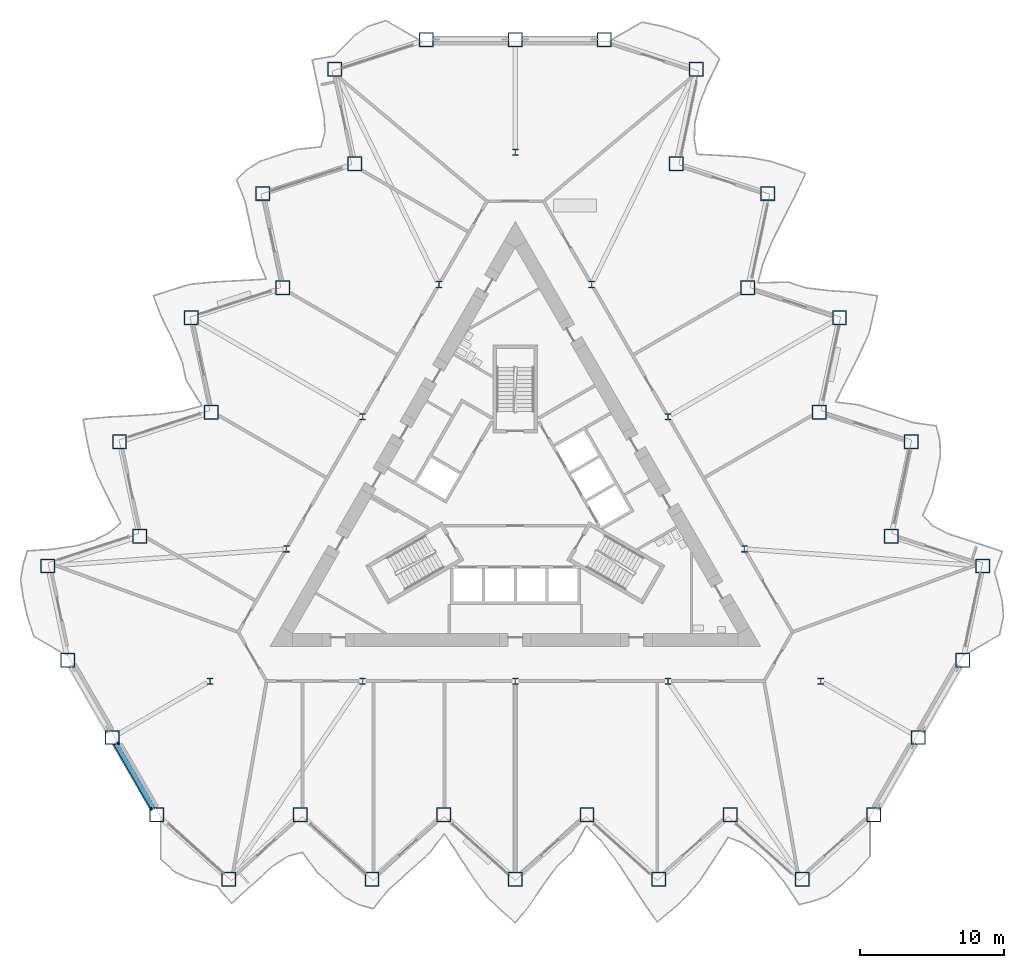
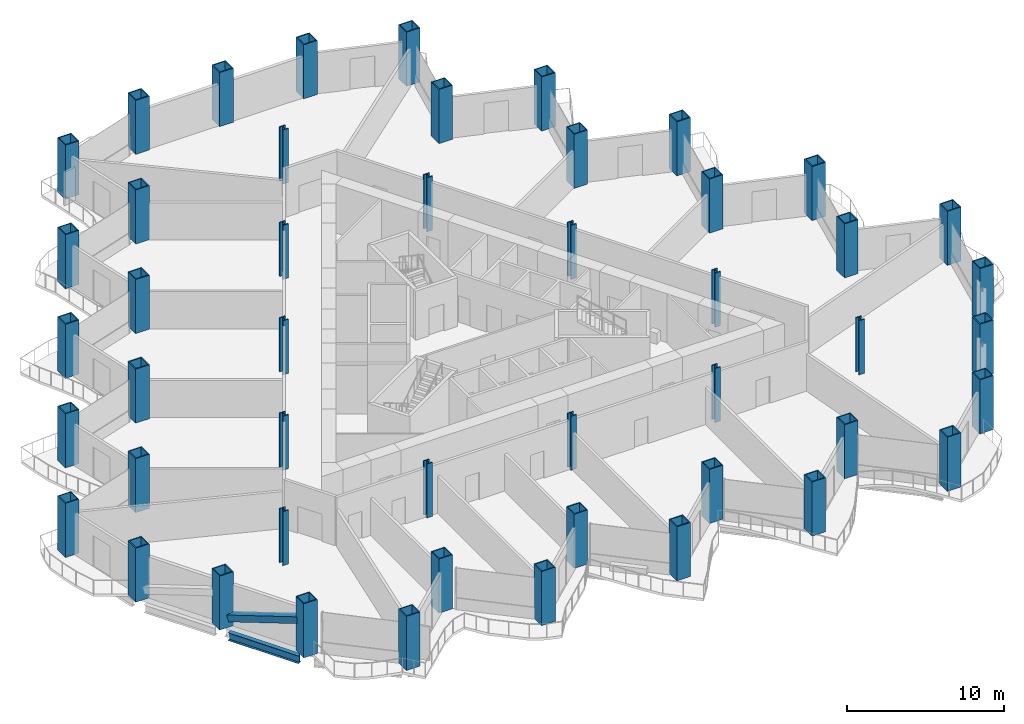
# One storey, part 1 of 21: 48 columns, 1 beam, 1 member.
"""IFC4 building model written with IfcOpenShell, lengths in metres."""

from ifc_helpers import new_model, si_unit, direction, frame, origin, origin_2d, place, context, subcontext, project, spatial, hollow_rectangle, i_section, extrude, material, material_profile, profile_set, type_object, element, save


model = new_model("IFC4")

# Units and contexts
model_context = context("Model", 3, precision=1e-05, world=origin(), true_north=direction((0.0, 1.0)))
body_context = subcontext(model_context, "Body", "Model", "MODEL_VIEW")
ifc_project = project(units=[si_unit("LENGTHUNIT", "METRE"), si_unit("AREAUNIT", "SQUARE_METRE"), si_unit("VOLUMEUNIT", "CUBIC_METRE"), si_unit("PLANEANGLEUNIT", "RADIAN"), si_unit("MASSUNIT", "GRAM", prefix="KILO")], contexts=[model_context])

# Site, building, storey
site_placement = place(None, origin())
site = spatial("IfcSite", under=ifc_project, at=site_placement, CompositionType="ELEMENT")
building_placement = place(site_placement, origin())
building = spatial("IfcBuilding", under=site, at=building_placement, Name="Cormorant Prow Tower", CompositionType="ELEMENT")
storey_placement = place(building_placement, frame((0.0, 0.0, 67.800048828125)))
storey = spatial("IfcBuildingStorey", under=building, at=storey_placement, Name="L14", CompositionType="ELEMENT", Elevation=67.800048828125)

# Columns
ifc_material_1 = material(Name="Structural steel ASTM A572 Gr 50", Category="steel")
ifc_material_profile_1 = material_profile(ifc_material_1, hollow_rectangle(XDim=1.0, YDim=1.0, WallThickness=0.070068359375, at=origin_2d()), Name="Box 1000x1000x70")
ifc_profile_set_1 = profile_set([ifc_material_profile_1], Name="Structural steel ASTM A572 Gr 50")
column_type_1 = type_object("IfcColumnType", Name="Perimeter box column 1000x1000x70", PredefinedType="COLUMN", material=ifc_profile_set_1)
for number, where, z_axis, x_axis, name in (
    (1, (-24.830322265625, -21.4599609375, 0.0), (0.0, 0.0, 1.0), (1.0, 0.0, 0.0), "Perimeter column C2 at S00 L14"),
    (2, (-19.8642578125, -25.931396484375, 0.0), (0.0, 0.0, 1.0), (1.0, 0.0, 0.0), "Perimeter column C2 at S01 L14"),
    (3, (-14.898193359375, -21.4599609375, 0.0), (0.0, 0.0, 1.0), (1.0, 0.0, 0.0), "Perimeter column C2 at S02 L14"),
    (4, (-9.93212890625, -25.931396484375, 0.0), (0.0, 0.0, 1.0), (1.0, 0.0, 0.0), "Perimeter column C2 at S03 L14"),
    (5, (-4.966064453125, -21.4599609375, 0.0), (0.0, 0.0, 1.0), (1.0, 0.0, 0.0), "Perimeter column C2 at S04 L14"),
    (6, (0.0, -25.931396484375, 0.0), (0.0, 0.0, 1.0), (1.0, 0.0, 0.0), "Perimeter column C2 at S05 L14"),
    (7, (4.966064453125, -21.4599609375, 0.0), (0.0, 0.0, 1.0), (1.0, 0.0, 0.0), "Perimeter column C2 at S06 L14"),
    (8, (9.93212890625, -25.931396484375, 0.0), (0.0, 0.0, 1.0), (1.0, 0.0, 0.0), "Perimeter column C2 at S07 L14"),
    (9, (14.898193359375, -21.4599609375, 0.0), (0.0, 0.0, 1.0), (1.0, 0.0, 0.0), "Perimeter column C2 at S08 L14"),
    (10, (19.8642578125, -25.931396484375, 0.0), (0.0, 0.0, 1.0), (1.0, 0.0, 0.0), "Perimeter column C2 at S09 L14"),
    (11, (24.830322265625, -21.4599609375, 0.0), (0.0, 0.0, 1.0), (1.0, 0.0, 0.0), "Perimeter column C2 at ESE00 L14"),
    (12, (27.915283203125, -16.116943359375, 0.0), (0.0, 0.0, 1.0), (1.0, 0.0, 0.0), "Perimeter column C2 at ESE01 L14"),
    (13, (31.0, -10.773681640625, 0.0), (0.0, 0.0, 1.0), (1.0, 0.0, 0.0), "Perimeter column C2 at ENE00 L14"),
    (14, (32.389404296875, -4.2373046875, 0.0), (0.0, 0.0, 1.0), (1.0, 0.0, 0.0), "Perimeter column C2 at ENE01 L14"),
    (15, (26.033935546875, -2.17236328125, 0.0), (0.0, 0.0, 1.0), (1.0, 0.0, 0.0), "Perimeter column C2 at ENE02 L14"),
    (16, (27.42333984375, 4.3642578125, 0.0), (0.0, 0.0, 1.0), (1.0, 0.0, 0.0), "Perimeter column C2 at ENE03 L14"),
    (17, (21.06787109375, 6.42919921875, 0.0), (0.0, 0.0, 1.0), (1.0, 0.0, 0.0), "Perimeter column C2 at ENE04 L14"),
    (18, (22.457275390625, 12.965576171875, 0.0), (0.0, 0.0, 1.0), (1.0, 0.0, 0.0), "Perimeter column C2 at ENE05 L14"),
    (19, (16.101806640625, 15.03076171875, 0.0), (0.0, 0.0, 1.0), (1.0, 0.0, 0.0), "Perimeter column C2 at ENE06 L14"),
    (20, (17.4912109375, 21.567138671875, 0.0), (0.0, 0.0, 1.0), (1.0, 0.0, 0.0), "Perimeter column C2 at ENE07 L14"),
    (21, (11.1357421875, 23.632080078125, 0.0), (0.0, 0.0, 1.0), (1.0, 0.0, 0.0), "Perimeter column C2 at ENE08 L14"),
    (22, (12.525146484375, 30.168701171875, 0.0), (0.0, 0.0, 1.0), (1.0, 0.0, 0.0), "Perimeter column C2 at ENE09 L14"),
    (23, (6.169677734375, 32.233642578125, 0.0), (0.0, 0.0, 1.0), (1.0, 0.0, 0.0), "Perimeter column C2 at N00 L14"),
    (24, (0.0, 32.233642578125, 0.0), (0.0, 0.0, 1.0), (1.0, 0.0, 0.0), "Perimeter column C2 at N01 L14"),
    (25, (-6.169677734375, 32.233642578125, 0.0), (0.0, 0.0, 1.0), (1.0, 0.0, 0.0), "Perimeter column C2 at WNW00 L14"),
    (26, (-12.525146484375, 30.168701171875, 0.0), (0.0, 0.0, 1.0), (1.0, 0.0, 0.0), "Perimeter column C2 at WNW01 L14"),
    (27, (-11.1357421875, 23.632080078125, 0.0), (0.0, 0.0, 1.0), (1.0, 0.0, 0.0), "Perimeter column C2 at WNW02 L14"),
    (28, (-17.4912109375, 21.567138671875, 0.0), (0.0, 0.0, 1.0), (1.0, 0.0, 0.0), "Perimeter column C2 at WNW03 L14"),
    (29, (-16.101806640625, 15.03076171875, 0.0), (0.0, 0.0, 1.0), (1.0, 0.0, 0.0), "Perimeter column C2 at WNW04 L14"),
    (30, (-22.457275390625, 12.965576171875, 0.0), (0.0, 0.0, 1.0), (1.0, 0.0, 0.0), "Perimeter column C2 at WNW05 L14"),
    (31, (-21.06787109375, 6.42919921875, 0.0), (0.0, 0.0, 1.0), (1.0, 0.0, 0.0), "Perimeter column C2 at WNW06 L14"),
    (32, (-27.42333984375, 4.3642578125, 0.0), (0.0, 0.0, 1.0), (1.0, 0.0, 0.0), "Perimeter column C2 at WNW07 L14"),
    (33, (-26.033935546875, -2.17236328125, 0.0), (0.0, 0.0, 1.0), (1.0, 0.0, 0.0), "Perimeter column C2 at WNW08 L14"),
    (34, (-32.389404296875, -4.2373046875, 0.0), (0.0, 0.0, 1.0), (1.0, 0.0, 0.0), "Perimeter column C2 at WNW09 L14"),
    (35, (-31.0, -10.773681640625, 0.0), (0.0, 0.0, 1.0), (1.0, 0.0, 0.0), "Perimeter column C2 at WSW00 L14"),
    (36, (-27.915283203125, -16.116943359375, 0.0), (0.0, 0.0, 1.0), (1.0, 0.0, 0.0), "Perimeter column C2 at WSW01 L14"),
):
    element("IfcColumn", number, at=place(storey_placement, frame(where, z_axis=z_axis, x_axis=x_axis)), inside=storey, type_object=column_type_1, Name=name, PredefinedType="COLUMN", context=body_context, shape_type="SweptSolid", body=[
        extrude(hollow_rectangle(XDim=1.0, YDim=1.0, WallThickness=0.070068359375, at=origin_2d()), origin(), (0.0, 0.0, 1.0), 4.199951171875),
    ])
ifc_material_2 = material(Name="Structural steel ASTM A992 Gr 50", Category="steel")
ifc_material_profile_2 = material_profile(ifc_material_2, i_section(OverallWidth=0.42138671875, OverallDepth=0.464599609375, WebThickness=0.044921875, FlangeThickness=0.072265625, at=origin_2d()), Name="W14x398")
ifc_profile_set_2 = profile_set([ifc_material_profile_2], Name="Structural steel ASTM A992 Gr 50")
column_type_2 = type_object("IfcColumnType", Name="Ring column W14x398", PredefinedType="COLUMN", material=ifc_profile_set_2)
for number, where, z_axis, x_axis, name in (
    (37, (0.0, 24.429931640625, 0.0), (0.0, 0.0, 1.0), (1.0, 0.0, 0.0), "Ring column 1 L14"),
    (38, (-5.289306640625, 15.268798828125, 0.0), (0.0, 0.0, 1.0), (1.0, 0.0, 0.0), "Ring column 2 L14"),
    (39, (-10.578369140625, 6.107421875, 0.0), (0.0, 0.0, 1.0), (1.0, 0.0, 0.0), "Ring column 3 L14"),
    (40, (-15.86767578125, -3.0537109375, 0.0), (0.0, 0.0, 1.0), (1.0, 0.0, 0.0), "Ring column 4 L14"),
    (41, (-21.156982421875, -12.21484375, 0.0), (0.0, 0.0, 1.0), (1.0, 0.0, 0.0), "Ring column 5 L14"),
    (42, (-10.578369140625, -12.21484375, 0.0), (0.0, 0.0, 1.0), (1.0, 0.0, 0.0), "Ring column 6 L14"),
    (43, (0.0, -12.21484375, 0.0), (0.0, 0.0, 1.0), (1.0, 0.0, 0.0), "Ring column 7 L14"),
    (44, (10.578369140625, -12.21484375, 0.0), (0.0, 0.0, 1.0), (1.0, 0.0, 0.0), "Ring column 8 L14"),
    (45, (21.156982421875, -12.21484375, 0.0), (0.0, 0.0, 1.0), (1.0, 0.0, 0.0), "Ring column 9 L14"),
    (46, (15.86767578125, -3.0537109375, 0.0), (0.0, 0.0, 1.0), (1.0, 0.0, 0.0), "Ring column 10 L14"),
    (47, (10.578369140625, 6.107421875, 0.0), (0.0, 0.0, 1.0), (1.0, 0.0, 0.0), "Ring column 11 L14"),
    (48, (5.289306640625, 15.268798828125, 0.0), (0.0, 0.0, 1.0), (1.0, 0.0, 0.0), "Ring column 12 L14"),
):
    element("IfcColumn", number, at=place(storey_placement, frame(where, z_axis=z_axis, x_axis=x_axis)), inside=storey, type_object=column_type_2, Name=name, PredefinedType="COLUMN", context=body_context, shape_type="SweptSolid", body=[
        extrude(i_section(OverallWidth=0.42138671875, OverallDepth=0.464599609375, WebThickness=0.044921875, FlangeThickness=0.072265625, at=origin_2d()), origin(), (0.0, 0.0, 1.0), 4.199951171875),
    ])

# Member
ifc_material_3 = material(Name="Structural steel ASTM A500 Gr C", Category="steel")
ifc_material_profile_3 = material_profile(ifc_material_3, hollow_rectangle(XDim=0.508056640625, YDim=0.508056640625, WallThickness=0.014892578125, at=origin_2d()), Name="HSS20x20x5/8")
ifc_profile_set_3 = profile_set([ifc_material_profile_3], Name="Structural steel ASTM A500 Gr C")
member_type = type_object("IfcMemberType", Name="Chamfer brace HSS20x20x5/8", PredefinedType="BRACE", material=ifc_profile_set_3)
member_placement = place(storey_placement, frame((-27.65576171875, -16.566162109375, 0.76708984375), z_axis=(0.47589308504, -0.824244468952, 0.306833549359), x_axis=(0.866018434186, 0.500012071504, 0.0)))
element("IfcMember", 49, at=member_placement, inside=storey, type_object=member_type, Name="Chamfer brace BR1 at WSW01 L14", PredefinedType="BRACE", context=body_context, shape_type="SweptSolid", body=[
    extrude(hollow_rectangle(XDim=0.508056640625, YDim=0.508056640625, WallThickness=0.014892578125, at=origin_2d()), origin(), (0.0, 0.0, 1.0), 5.392333984375),
])

# Beam
ifc_material_4 = material(Name="Structural steel ASTM A992 Gr 50", Category="steel")
ifc_material_profile_4 = material_profile(ifc_material_4, i_section(OverallWidth=0.32373046875, OverallDepth=0.611083984375, WebThickness=0.0126953125, FlangeThickness=0.01904296875, at=origin_2d()), Name="W24x104")
ifc_profile_set_4 = profile_set([ifc_material_profile_4], Name="Structural steel ASTM A992 Gr 50")
beam_type = type_object("IfcBeamType", Name="Spandrel beam W24x104", PredefinedType="SPANDREL", material=ifc_profile_set_4)
beam_placement = place(storey_placement, frame((-27.665283203125, -16.5498046875, -0.70556640625), z_axis=(0.500019507279, -0.866014140959, 0.0), x_axis=(0.866014140959, 0.500019507279, 0.0)))
element("IfcBeam", 50, at=beam_placement, inside=storey, type_object=beam_type, Name="Spandrel beam SB1 WSW01-S00 L14", PredefinedType="SPANDREL", context=body_context, shape_type="SweptSolid", body=[
    extrude(i_section(OverallWidth=0.32373046875, OverallDepth=0.611083984375, WebThickness=0.0126953125, FlangeThickness=0.01904296875, at=origin_2d()), origin(), (0.0, 0.0, 1.0), 5.169677734375),
])

save(model, "model.ifc")
